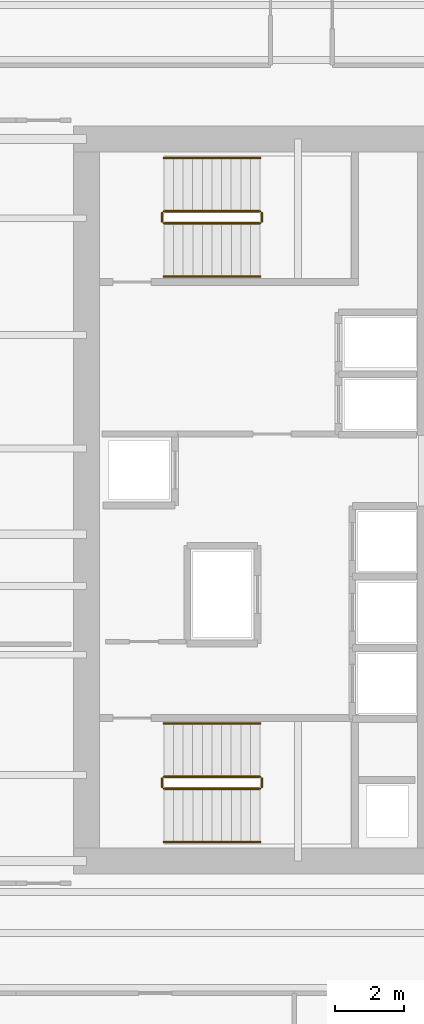
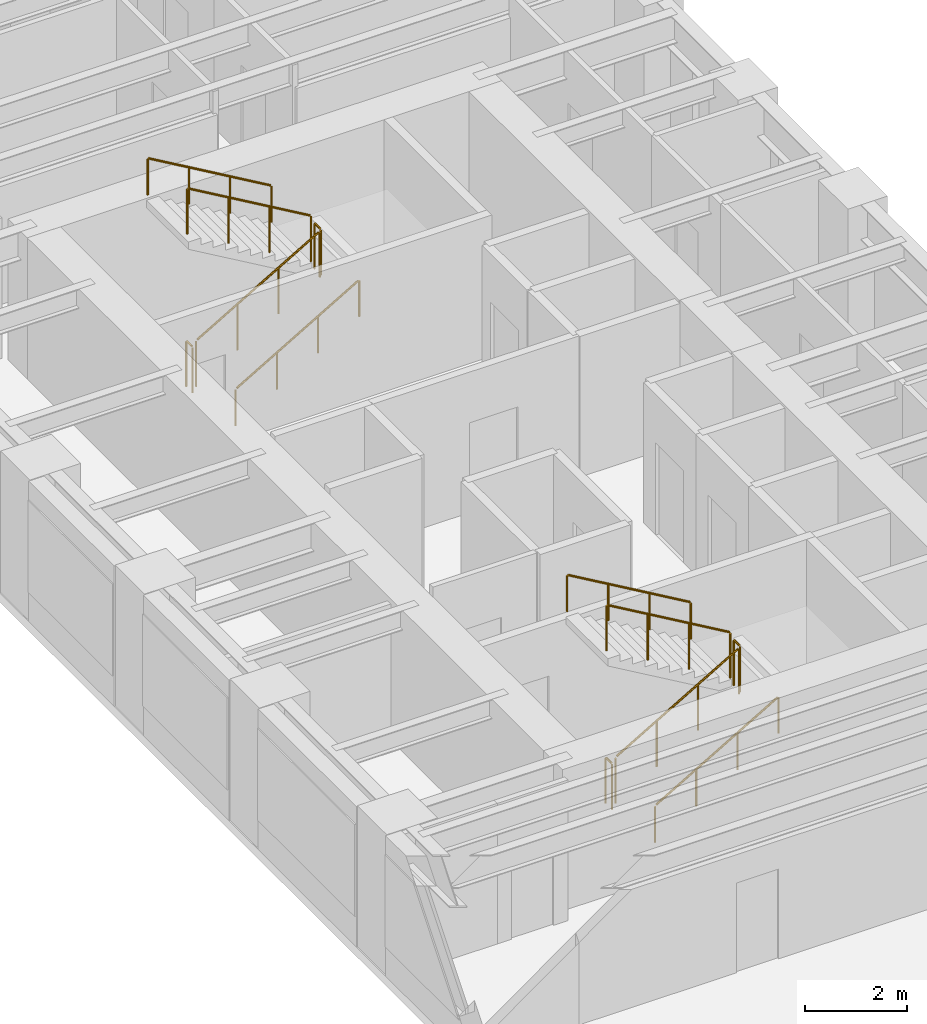
# One storey, part 13 of 14: 12 railings.
"""IFC4 building model written with IfcOpenShell, lengths in metres."""

from ifc_helpers import new_model, si_unit, direction, frame, origin, origin_2d, place, context, subcontext, project, spatial, circle, extrude, source, transform, mapped, material, layer, layer_set, type_object, element, save


model = new_model("IFC4")

# Units and contexts
model_context = context("Model", 3, precision=1e-05, world=origin(), true_north=direction((0.0, 1.0)))
body_context = subcontext(model_context, "Body", "Model", "MODEL_VIEW")
ifc_project = project(units=[si_unit("LENGTHUNIT", "METRE"), si_unit("AREAUNIT", "SQUARE_METRE"), si_unit("VOLUMEUNIT", "CUBIC_METRE"), si_unit("PLANEANGLEUNIT", "RADIAN"), si_unit("MASSUNIT", "GRAM", prefix="KILO")], contexts=[model_context])

# Site, building, storey
site_placement = place(None, origin())
site = spatial("IfcSite", under=ifc_project, at=site_placement, CompositionType="ELEMENT")
building_placement = place(site_placement, origin())
building = spatial("IfcBuilding", under=site, at=building_placement, Name="Kharzan Plaza Tower", CompositionType="ELEMENT")
storey_placement = place(building_placement, frame((0.0, 0.0, 102.60009765625)))
storey = spatial("IfcBuildingStorey", under=building, at=storey_placement, Name="L27", CompositionType="ELEMENT", Elevation=102.60009765625)

# Railings
ifc_material_1 = material(Name="Painted Galvanized Architectural Steel", Category="steel")
ifc_layer_1 = layer(ifc_material_1, 0.074951171875)
ifc_layer_set_1 = layer_set([ifc_layer_1], Name="Painted Galvanized Architectural Steel")
railing_type_1 = type_object("IfcRailingType", Name="RL-GUARD-1120", PredefinedType="BALUSTRADE", material=ifc_layer_set_1)
shared_shape_1 = source(origin(), body_context, "Body", "SweptSolid", [
    extrude(circle(Radius=0.02392578125, at=origin_2d()), frame((0.0, 0.0263671875, 1.09619140625), z_axis=(0.0, 1.0, 0.0), x_axis=(-1.0, 0.0, 0.0)), (0.0, 0.0, 1.0), 0.197021484375),
    extrude(circle(Radius=0.02099609375, at=origin_2d()), origin(), (0.0, 0.0, 1.0), 1.072021484375),
    extrude(circle(Radius=0.02099609375, at=origin_2d()), frame((0.0, 0.25, 0.0)), (0.0, 0.0, 1.0), 1.072021484375),
])
for number, where, name in (
    (1, (9.60009765625, 10.64990234375, 1.7998046875), "L27 ST-1 stair guard 2"),
    (2, (6.699951171875, 10.64990234375, 0.0), "L27 ST-1 stair guard 4"),
    (3, (9.60009765625, 27.10009765625, 1.7998046875), "L27 ST-2 stair guard 2"),
    (4, (6.699951171875, 27.10009765625, 0.0), "L27 ST-2 stair guard 4"),
):
    element("IfcRailing", number, at=place(storey_placement, frame(where)), inside=storey, type_object=railing_type_1, Name=name, PredefinedType="BALUSTRADE", context=body_context, shape_type="MappedRepresentation", body=[
        mapped(shared_shape_1, transform((0.0, 0.0, 0.0), x_axis=(1.0, 0.0, 0.0), y_axis=(0.0, 1.0, 0.0), z_axis=(0.0, 0.0, 1.0))),
    ])
shared_shape_2 = source(origin(), body_context, "Body", "SweptSolid", [
    extrude(circle(Radius=0.02392578125, at=origin_2d()), frame((0.02294921875, 0.0, 1.109375), z_axis=(0.863393664356, 0.0, 0.504530851732), x_axis=(0.0, 1.0, 0.0)), (0.0, 0.0, 1.0), 3.190185546875),
    extrude(circle(Radius=0.02099609375, at=origin_2d()), origin(), (0.0, 0.0, 1.0), 1.072021484375),
    extrude(circle(Radius=0.02099609375, at=origin_2d()), frame((0.933349609375, 0.0, 0.54541015625)), (0.0, 0.0, 1.0), 1.072021484375),
    extrude(circle(Radius=0.02099609375, at=origin_2d()), frame((1.86669921875, 0.0, 1.0908203125)), (0.0, 0.0, 1.0), 1.072021484375),
    extrude(circle(Radius=0.02099609375, at=origin_2d()), frame((2.800048828125, 0.0, 1.63623046875)), (0.0, 0.0, 1.0), 1.072021484375),
])
for number, where, name in (
    (5, (6.75, 10.60009765625, 0.16357421875), "L27 ST-1 stair guard 1"),
    (6, (6.75, 27.050048828125, 0.16357421875), "L27 ST-2 stair guard 1"),
):
    element("IfcRailing", number, at=place(storey_placement, frame(where)), inside=storey, type_object=railing_type_1, Name=name, PredefinedType="BALUSTRADE", context=body_context, shape_type="MappedRepresentation", body=[
        mapped(shared_shape_2, transform((0.0, 0.0, 0.0), x_axis=(1.0, 0.0, 0.0), y_axis=(0.0, 1.0, 0.0), z_axis=(0.0, 0.0, 1.0))),
    ])
shared_shape_3 = source(origin(), body_context, "Body", "SweptSolid", [
    extrude(circle(Radius=0.02392578125, at=origin_2d()), frame((-0.02294921875, 0.0, 1.109375), z_axis=(-0.863393664356, 0.0, 0.504530851732), x_axis=(0.0, -1.0, 0.0)), (0.0, 0.0, 1.0), 3.190185546875),
    extrude(circle(Radius=0.02099609375, at=origin_2d()), origin(), (0.0, 0.0, 1.0), 1.072021484375),
    extrude(circle(Radius=0.02099609375, at=origin_2d()), frame((-0.933349609375, 0.0, 0.54541015625)), (0.0, 0.0, 1.0), 1.072021484375),
    extrude(circle(Radius=0.02099609375, at=origin_2d()), frame((-1.86669921875, 0.0, 1.0908203125)), (0.0, 0.0, 1.0), 1.072021484375),
    extrude(circle(Radius=0.02099609375, at=origin_2d()), frame((-2.800048828125, 0.0, 1.63623046875)), (0.0, 0.0, 1.0), 1.072021484375),
])
for number, where, name in (
    (7, (9.550048828125, 10.949951171875, 1.963623046875), "L27 ST-1 stair guard 3"),
    (8, (9.550048828125, 27.39990234375, 1.963623046875), "L27 ST-2 stair guard 3"),
):
    element("IfcRailing", number, at=place(storey_placement, frame(where)), inside=storey, type_object=railing_type_1, Name=name, PredefinedType="BALUSTRADE", context=body_context, shape_type="MappedRepresentation", body=[
        mapped(shared_shape_3, transform((0.0, 0.0, 0.0), x_axis=(1.0, 0.0, 0.0), y_axis=(0.0, 1.0, 0.0), z_axis=(0.0, 0.0, 1.0))),
    ])
ifc_material_2 = material(Name="Brushed Stainless Steel", Category="steel")
ifc_layer_2 = layer(ifc_material_2, 0.050048828125)
ifc_layer_set_2 = layer_set([ifc_layer_2], Name="Brushed Stainless Steel")
railing_type_2 = type_object("IfcRailingType", Name="RL-STAIR-HR920", PredefinedType="HANDRAIL", material=ifc_layer_set_2)
shared_shape_4 = source(origin(), body_context, "Body", "SweptSolid", [
    extrude(circle(Radius=0.02392578125, at=origin_2d()), frame((0.02294921875, 0.0, 0.88916015625), z_axis=(0.863393664356, 0.0, 0.504530851732), x_axis=(0.0, 1.0, 0.0)), (0.0, 0.0, 1.0), 3.190185546875),
    extrude(circle(Radius=0.02099609375, at=origin_2d()), origin(), (0.0, 0.0, 1.0), 0.851806640625),
    extrude(circle(Radius=0.02099609375, at=origin_2d()), frame((0.933349609375, 0.0, 0.54541015625)), (0.0, 0.0, 1.0), 0.851806640625),
    extrude(circle(Radius=0.02099609375, at=origin_2d()), frame((1.86669921875, 0.0, 1.0908203125)), (0.0, 0.0, 1.0), 0.851806640625),
    extrude(circle(Radius=0.02099609375, at=origin_2d()), frame((2.800048828125, 0.0, 1.63623046875)), (0.0, 0.0, 1.0), 0.851806640625),
])
for number, where, name in (
    (9, (6.75, 9.050048828125, 0.16357421875), "L27 ST-1 stair handrail 1"),
    (10, (6.75, 25.5, 0.16357421875), "L27 ST-2 stair handrail 1"),
):
    element("IfcRailing", number, at=place(storey_placement, frame(where)), inside=storey, type_object=railing_type_2, Name=name, PredefinedType="HANDRAIL", context=body_context, shape_type="MappedRepresentation", body=[
        mapped(shared_shape_4, transform((0.0, 0.0, 0.0), x_axis=(1.0, 0.0, 0.0), y_axis=(0.0, 1.0, 0.0), z_axis=(0.0, 0.0, 1.0))),
    ])
shared_shape_5 = source(origin(), body_context, "Body", "SweptSolid", [
    extrude(circle(Radius=0.02392578125, at=origin_2d()), frame((-0.02294921875, 0.0, 0.88916015625), z_axis=(-0.863393664356, 0.0, 0.504530851732), x_axis=(0.0, -1.0, 0.0)), (0.0, 0.0, 1.0), 3.190185546875),
    extrude(circle(Radius=0.02099609375, at=origin_2d()), origin(), (0.0, 0.0, 1.0), 0.851806640625),
    extrude(circle(Radius=0.02099609375, at=origin_2d()), frame((-0.933349609375, 0.0, 0.54541015625)), (0.0, 0.0, 1.0), 0.851806640625),
    extrude(circle(Radius=0.02099609375, at=origin_2d()), frame((-1.86669921875, 0.0, 1.0908203125)), (0.0, 0.0, 1.0), 0.851806640625),
    extrude(circle(Radius=0.02099609375, at=origin_2d()), frame((-2.800048828125, 0.0, 1.63623046875)), (0.0, 0.0, 1.0), 0.851806640625),
])
for number, where, name in (
    (11, (9.550048828125, 12.5, 1.963623046875), "L27 ST-1 stair handrail 2"),
    (12, (9.550048828125, 28.949951171875, 1.963623046875), "L27 ST-2 stair handrail 2"),
):
    element("IfcRailing", number, at=place(storey_placement, frame(where)), inside=storey, type_object=railing_type_2, Name=name, PredefinedType="HANDRAIL", context=body_context, shape_type="MappedRepresentation", body=[
        mapped(shared_shape_5, transform((0.0, 0.0, 0.0), x_axis=(1.0, 0.0, 0.0), y_axis=(0.0, 1.0, 0.0), z_axis=(0.0, 0.0, 1.0))),
    ])

save(model, "model.ifc")
